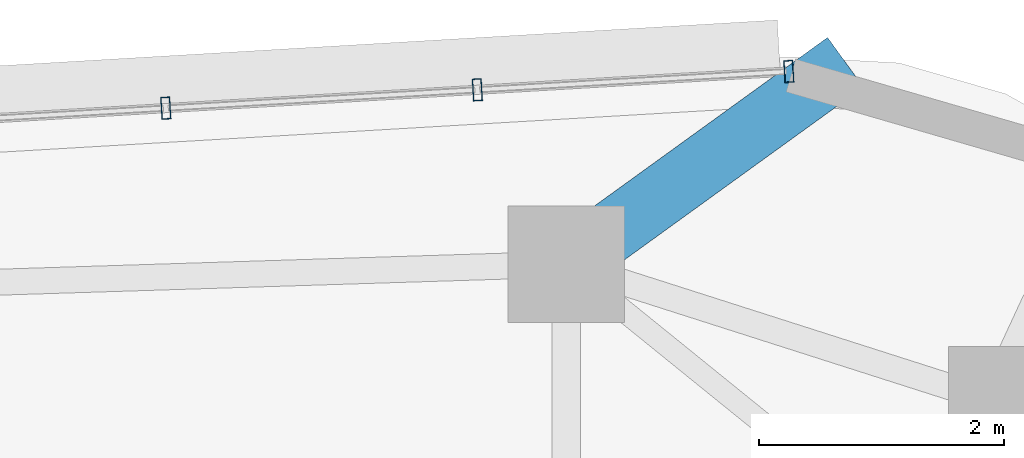
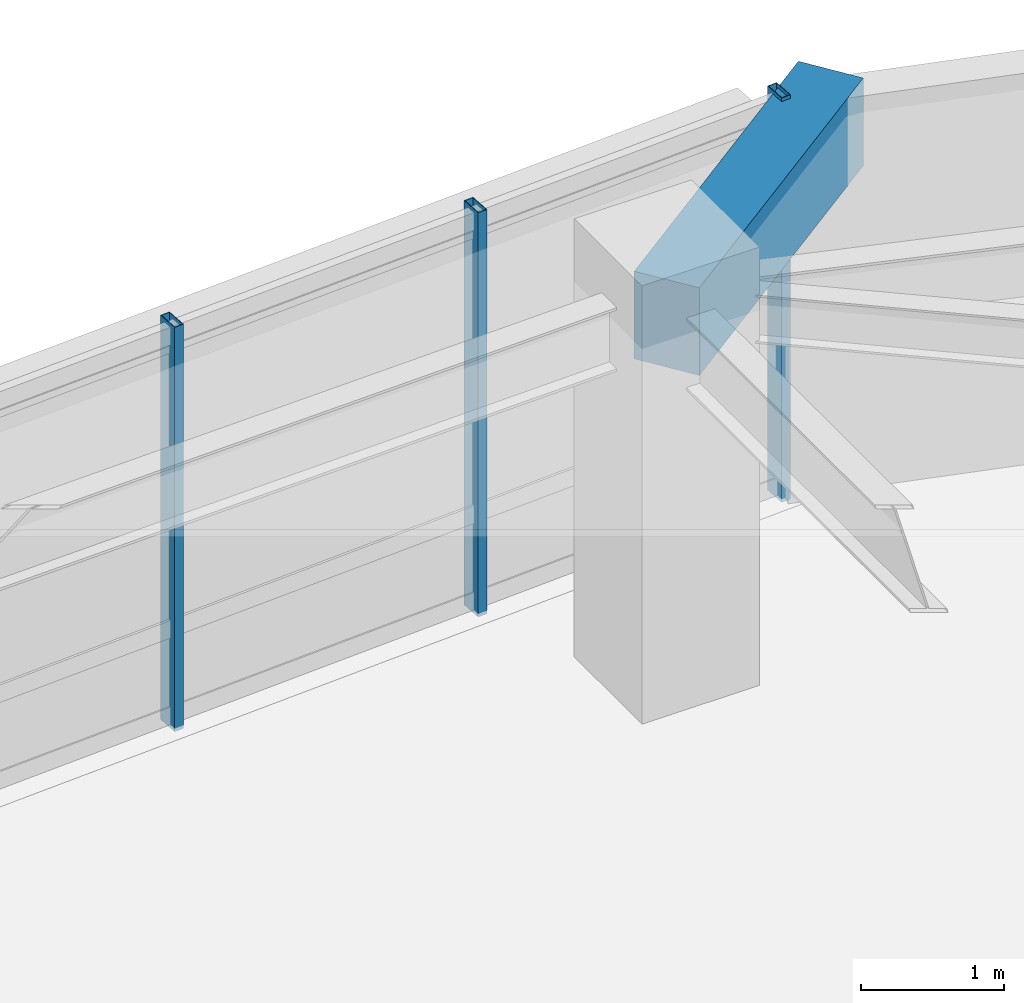
# One storey, part 6 of 14: 3 members, 1 beam, 1 element without a shape of its own.
"""IFC4 building model written with IfcOpenShell, lengths in metres."""

from ifc_helpers import new_model, si_unit, direction, frame, origin, origin_2d, place, context, subcontext, project, spatial, rectangle, hollow_rectangle, extrude, material, material_profile, profile_set, type_object, element, aggregate, save


model = new_model("IFC4")

# Units and contexts
model_context = context("Model", 3, precision=1e-05, world=origin(), true_north=direction((0.0, 1.0)))
body_context = subcontext(model_context, "Body", "Model", "MODEL_VIEW")
ifc_project = project(units=[si_unit("LENGTHUNIT", "METRE"), si_unit("AREAUNIT", "SQUARE_METRE"), si_unit("VOLUMEUNIT", "CUBIC_METRE"), si_unit("PLANEANGLEUNIT", "RADIAN"), si_unit("MASSUNIT", "GRAM", prefix="KILO")], contexts=[model_context])

# Site, building, storey
site_placement = place(None, origin())
site = spatial("IfcSite", under=ifc_project, at=site_placement, CompositionType="ELEMENT")
building_placement = place(site_placement, origin())
building = spatial("IfcBuilding", under=site, at=building_placement, Name="Zulverin Broadcast Headquarters", CompositionType="ELEMENT")
storey_placement = place(building_placement, frame((0.0, 0.0, 216.199951171875)))
storey = spatial("IfcBuildingStorey", under=building, at=storey_placement, Name="L55", CompositionType="ELEMENT", Elevation=216.199951171875)

# Beam
ifc_material_1 = material(Name="Concrete C40/50", Category="concrete")
ifc_material_profile_1 = material_profile(ifc_material_1, rectangle(XDim=0.5, YDim=0.75, at=origin_2d()), Name="Concrete C40/50", Category="concrete")
ifc_profile_set_1 = profile_set([ifc_material_profile_1], Name="Concrete C40/50")
beam_type = type_object("IfcBeamType", Name="BM-RC-500x750", PredefinedType="BEAM", material=ifc_profile_set_1)
beam_placement = place(storey_placement, frame((45.027587890625, 46.7236328125, 3.025146484375), z_axis=(0.810436571851, 0.585826393231, 0.0), x_axis=(-0.585826393231, 0.810436571851, 0.0)))
element("IfcBeam", 1, at=beam_placement, inside=storey, type_object=beam_type, Name="L56 Plate Overhang Back-Spanned Beam OVR-09", PredefinedType="BEAM", context=body_context, shape_type="SweptSolid", body=[
    extrude(rectangle(XDim=0.5, YDim=0.75, at=origin_2d()), origin(), (0.0, 0.0, 1.0), 2.81298828125),
])

# Curtain wall, members
ifc_material_2 = material(Name="Waist wind-pressure unitised curtain wall", Category="aluminium")
curtain_wall_type = type_object("IfcCurtainWallType", Name="CW-TWR-WST", PredefinedType="USERDEFINED", material=ifc_material_2)
curtain_wall_placement = place(storey_placement, origin())
curtain_wall = element("IfcCurtainWall", 2, at=curtain_wall_placement, inside=storey, type_object=curtain_wall_type, Name="L55 Unitised Curtain Wall CW-L55-E5", ObjectType="UNITISED CURTAIN WALL", PredefinedType="USERDEFINED")
ifc_material_3 = material(Name="Anodized pale-metal aluminium alloy 6063-T6", Category="aluminium")
ifc_material_profile_2 = material_profile(ifc_material_3, hollow_rectangle(XDim=0.074951171875, YDim=0.179931640625, WallThickness=0.0048828125, at=origin_2d()), Name="Anodized pale-metal aluminium alloy 6063-T6", Category="aluminium")
ifc_profile_set_2 = profile_set([ifc_material_profile_2], Name="Anodized pale-metal aluminium alloy 6063-T6")
member_type = type_object("IfcMemberType", Name="CW-MUL-180", PredefinedType="MULLION", material=ifc_profile_set_2)
member_1_placement = place(storey_placement, frame((46.844970703125, 48.296875, -0.030029296875), z_axis=(0.0, 0.0, 1.0), x_axis=(-0.998274332859, -0.058722707319, 0.0)))
member_1 = element("IfcMember", 3, at=member_1_placement, type_object=member_type, Name="CW-L55-E5 Mullion 00", PredefinedType="MULLION", context=body_context, shape_type="SweptSolid", body=[
    extrude(hollow_rectangle(XDim=0.074951171875, YDim=0.179931640625, WallThickness=0.0048828125, at=origin_2d()), origin(), (0.0, 0.0, 1.0), 3.4599609375),
])
member_2_placement = place(storey_placement, frame((44.302001953125, 48.147216796875, -0.030029296875), z_axis=(0.0, 0.0, 1.0), x_axis=(-0.998274332859, -0.058722707319, 0.0)))
member_2 = element("IfcMember", 4, at=member_2_placement, type_object=member_type, Name="CW-L55-E5 Mullion 01", PredefinedType="MULLION", context=body_context, shape_type="SweptSolid", body=[
    extrude(hollow_rectangle(XDim=0.074951171875, YDim=0.179931640625, WallThickness=0.0048828125, at=origin_2d()), origin(), (0.0, 0.0, 1.0), 3.4599609375),
])
member_3_placement = place(storey_placement, frame((41.7587890625, 47.99755859375, -0.030029296875), z_axis=(0.0, 0.0, 1.0), x_axis=(-0.998274332859, -0.058722707319, 0.0)))
member_3 = element("IfcMember", 5, at=member_3_placement, type_object=member_type, Name="CW-L55-E5 Mullion 02", PredefinedType="MULLION", context=body_context, shape_type="SweptSolid", body=[
    extrude(hollow_rectangle(XDim=0.074951171875, YDim=0.179931640625, WallThickness=0.0048828125, at=origin_2d()), origin(), (0.0, 0.0, 1.0), 3.4599609375),
])
aggregate(curtain_wall, [member_1, member_2, member_3])

save(model, "model.ifc")
